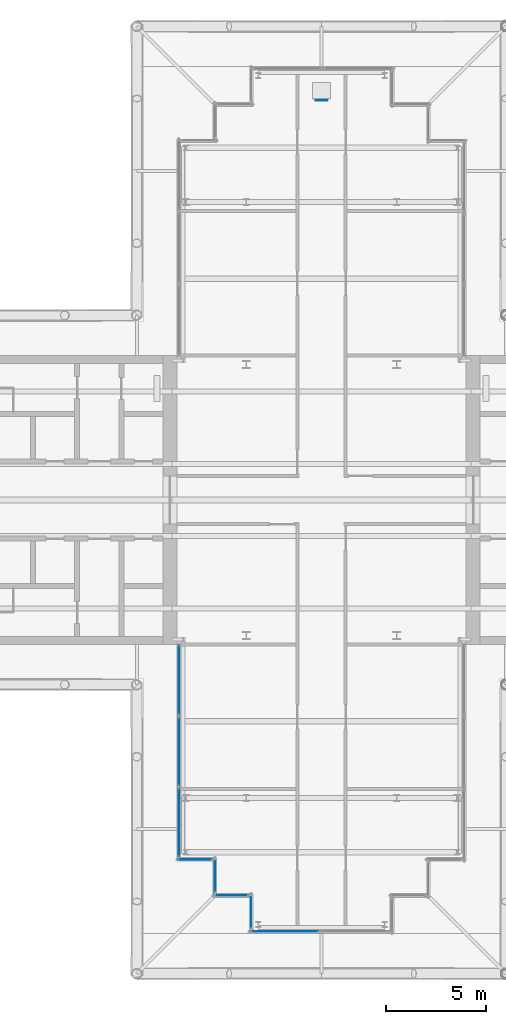
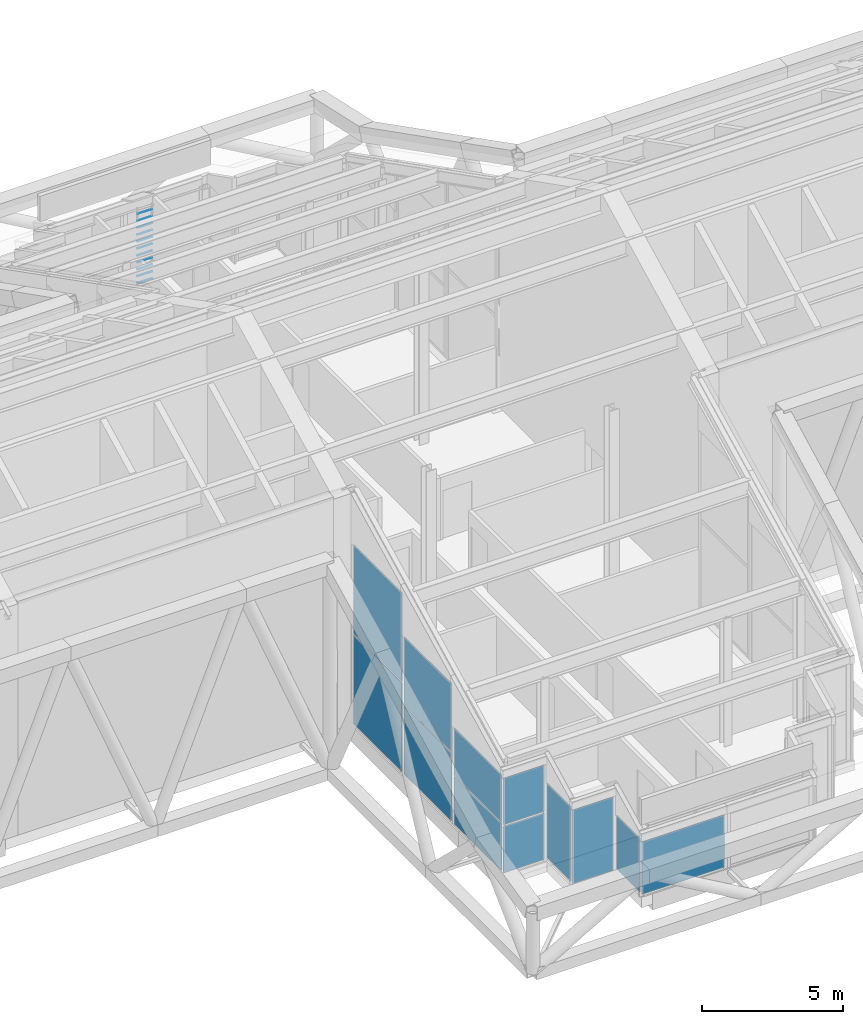
# One storey, part 17 of 25: 12 plates, 11 members, 8 elements without a shape of their own.
"""IFC4 building model written with IfcOpenShell, lengths in metres."""

from ifc_helpers import new_model, si_unit, direction, frame, origin, origin_2d, place, context, subcontext, project, spatial, rectangle, circle, extrude, material, layer, layer_set, material_profile, profile_set, type_object, element, aggregate, save


model = new_model("IFC4")

# Units and contexts
model_context = context("Model", 3, precision=1e-05, world=origin(), true_north=direction((0.0, 1.0)))
body_context = subcontext(model_context, "Body", "Model", "MODEL_VIEW")
ifc_project = project(units=[si_unit("LENGTHUNIT", "METRE"), si_unit("AREAUNIT", "SQUARE_METRE"), si_unit("VOLUMEUNIT", "CUBIC_METRE"), si_unit("PLANEANGLEUNIT", "RADIAN"), si_unit("MASSUNIT", "GRAM", prefix="KILO")], contexts=[model_context])

# Site, building, storey
site_placement = place(None, origin())
site = spatial("IfcSite", under=ifc_project, at=site_placement, CompositionType="ELEMENT")
building_placement = place(site_placement, origin())
building = spatial("IfcBuilding", under=site, at=building_placement, Name="Fustian Cross Tower", CompositionType="ELEMENT")
storey_placement = place(building_placement, frame((0.0, 0.0, 247.5)))
storey = spatial("IfcBuildingStorey", under=building, at=storey_placement, Name="L77", CompositionType="ELEMENT", Elevation=247.5)

# Members
ifc_material_1 = material(Name="Steel S355", Category="steel")
ifc_material_profile = material_profile(ifc_material_1, circle(Radius=0.010009765625, at=origin_2d()), Name="ROOF ACCESS LADDER RUNG RD 20 S355")
ifc_profile_set = profile_set([ifc_material_profile], Name="Steel S355")
member_type = type_object("IfcMemberType", Name="ROOF ACCESS LADDER RUNG RD 20 S355", PredefinedType="MEMBER", material=ifc_profile_set)
for number, where, z_axis, x_axis, name in (
    (1, (-0.2939453125, 19.89892578125, 0.300048828125), (1.0, 0.0, 0.0), (0.0, 1.0, 0.0), "Roof access ladder rung 1"),
    (2, (-0.2939453125, 19.89892578125, 0.60009765625), (1.0, 0.0, 0.0), (0.0, 1.0, 0.0), "Roof access ladder rung 2"),
    (3, (-0.2939453125, 19.89892578125, 0.89990234375), (1.0, 0.0, 0.0), (0.0, 1.0, 0.0), "Roof access ladder rung 3"),
    (4, (-0.2939453125, 19.89892578125, 1.199951171875), (1.0, 0.0, 0.0), (0.0, 1.0, 0.0), "Roof access ladder rung 4"),
    (5, (-0.2939453125, 19.89892578125, 1.5), (1.0, 0.0, 0.0), (0.0, 1.0, 0.0), "Roof access ladder rung 5"),
    (6, (-0.2939453125, 19.89892578125, 1.800048828125), (1.0, 0.0, 0.0), (0.0, 1.0, 0.0), "Roof access ladder rung 6"),
    (7, (-0.2939453125, 19.89892578125, 2.10009765625), (1.0, 0.0, 0.0), (0.0, 1.0, 0.0), "Roof access ladder rung 7"),
    (8, (-0.2939453125, 19.89892578125, 2.39990234375), (1.0, 0.0, 0.0), (0.0, 1.0, 0.0), "Roof access ladder rung 8"),
    (9, (-0.2939453125, 19.89892578125, 2.699951171875), (1.0, 0.0, 0.0), (0.0, 1.0, 0.0), "Roof access ladder rung 9"),
    (10, (-0.2939453125, 19.89892578125, 3.0), (1.0, 0.0, 0.0), (0.0, 1.0, 0.0), "Roof access ladder rung 10"),
    (11, (-0.2939453125, 19.89892578125, 3.300048828125), (1.0, 0.0, 0.0), (0.0, 1.0, 0.0), "Roof access ladder rung 11"),
):
    element("IfcMember", number, at=place(storey_placement, frame(where, z_axis=z_axis, x_axis=x_axis)), inside=storey, type_object=member_type, Name=name, PredefinedType="MEMBER", context=body_context, shape_type="SweptSolid", body=[
        extrude(circle(Radius=0.010009765625, at=origin_2d()), origin(), (0.0, 0.0, 1.0), 0.587890625),
    ])

# Curtain wall, plates
ifc_material_2 = material(Name="Glass", Category="glass")
curtain_wall_type = type_object("IfcCurtainWallType", Name="CW6 CURTAIN WALL", PredefinedType="NOTDEFINED", material=ifc_material_2)
curtain_wall_1_placement = place(storey_placement, origin())
curtain_wall_1 = element("IfcCurtainWall", 12, at=curtain_wall_1_placement, inside=storey, type_object=curtain_wall_type, Name="Curtain wall CW6", PredefinedType="NOTDEFINED")
ifc_material_3 = material(Name="Glass", Category="glass")
ifc_layer = layer(ifc_material_3, 0.028076171875)
ifc_layer_set = layer_set([ifc_layer], Name="Glass")
plate_type = type_object("IfcPlateType", Name="CW6 PANEL IGU28", PredefinedType="CURTAIN_PANEL", material=ifc_layer_set)
plate_1_placement = place(storey_placement, frame((-7.110107421875, -8.969970703125, 0.06005859375), z_axis=(0.0, 0.0, 1.0), x_axis=(0.0, -1.0, 0.0)))
plate_1 = element("IfcPlate", 13, at=plate_1_placement, type_object=plate_type, Name="CW6 panel 1.1", PredefinedType="CURTAIN_PANEL", context=body_context, shape_type="SweptSolid", body=[
    extrude(rectangle(XDim=3.419921875, YDim=0.028076171875, at=origin_2d()), origin(), (0.0, 0.0, 1.0), 3.850341796875),
])
plate_2_placement = place(storey_placement, frame((-7.110107421875, -8.969970703125, 3.97021484375), z_axis=(0.0, 0.0, 1.0), x_axis=(0.0, -1.0, 0.0)))
plate_2 = element("IfcPlate", 14, at=plate_2_placement, type_object=plate_type, Name="CW6 panel 1.2", PredefinedType="CURTAIN_PANEL", context=body_context, shape_type="SweptSolid", body=[
    extrude(rectangle(XDim=3.419921875, YDim=0.028076171875, at=origin_2d()), origin(), (0.0, 0.0, 1.0), 3.850341796875),
])
aggregate(curtain_wall_1, [plate_1, plate_2])

curtain_wall_2_placement = place(storey_placement, origin())
curtain_wall_2 = element("IfcCurtainWall", 15, at=curtain_wall_2_placement, inside=storey, type_object=curtain_wall_type, Name="Curtain wall CW6", PredefinedType="NOTDEFINED")
plate_3_placement = place(storey_placement, frame((-7.110107421875, -12.5400390625, 0.06005859375), z_axis=(0.0, 0.0, 1.0), x_axis=(0.0, -1.0, 0.0)))
plate_3 = element("IfcPlate", 16, at=plate_3_placement, type_object=plate_type, Name="CW6 panel 1.1", PredefinedType="CURTAIN_PANEL", context=body_context, shape_type="SweptSolid", body=[
    extrude(rectangle(XDim=3.360107421875, YDim=0.028076171875, at=origin_2d()), origin(), (0.0, 0.0, 1.0), 2.948974609375),
])
plate_4_placement = place(storey_placement, frame((-7.110107421875, -12.5400390625, 3.06884765625), z_axis=(0.0, 0.0, 1.0), x_axis=(0.0, -1.0, 0.0)))
plate_4 = element("IfcPlate", 17, at=plate_4_placement, type_object=plate_type, Name="CW6 panel 1.2", PredefinedType="CURTAIN_PANEL", context=body_context, shape_type="SweptSolid", body=[
    extrude(rectangle(XDim=3.360107421875, YDim=0.028076171875, at=origin_2d()), origin(), (0.0, 0.0, 1.0), 2.948974609375),
])
aggregate(curtain_wall_2, [plate_3, plate_4])

curtain_wall_3_placement = place(storey_placement, origin())
curtain_wall_3 = element("IfcCurtainWall", 18, at=curtain_wall_3_placement, inside=storey, type_object=curtain_wall_type, Name="Curtain wall CW6", PredefinedType="NOTDEFINED")
plate_5_placement = place(storey_placement, frame((-7.110107421875, -16.080078125, 0.06005859375), z_axis=(0.0, 0.0, 1.0), x_axis=(0.0, -1.0, 0.0)))
plate_5 = element("IfcPlate", 19, at=plate_5_placement, type_object=plate_type, Name="CW6 panel 1.1", PredefinedType="CURTAIN_PANEL", context=body_context, shape_type="SweptSolid", body=[
    extrude(rectangle(XDim=3.360107421875, YDim=0.028076171875, at=origin_2d()), origin(), (0.0, 0.0, 1.0), 2.047607421875),
])
plate_6_placement = place(storey_placement, frame((-7.110107421875, -16.080078125, 2.16748046875), z_axis=(0.0, 0.0, 1.0), x_axis=(0.0, -1.0, 0.0)))
plate_6 = element("IfcPlate", 20, at=plate_6_placement, type_object=plate_type, Name="CW6 panel 1.2", PredefinedType="CURTAIN_PANEL", context=body_context, shape_type="SweptSolid", body=[
    extrude(rectangle(XDim=3.360107421875, YDim=0.028076171875, at=origin_2d()), origin(), (0.0, 0.0, 1.0), 2.047607421875),
])
aggregate(curtain_wall_3, [plate_5, plate_6])

curtain_wall_4_placement = place(storey_placement, origin())
curtain_wall_4 = element("IfcCurtainWall", 21, at=curtain_wall_4_placement, inside=storey, type_object=curtain_wall_type, Name="Curtain wall CW6", PredefinedType="NOTDEFINED")
plate_7_placement = place(storey_placement, frame((-6.300048828125, -17.909912109375, 0.06005859375), z_axis=(0.0, 0.0, 1.0), x_axis=(1.0, 0.0, 0.0)))
plate_7 = element("IfcPlate", 22, at=plate_7_placement, type_object=plate_type, Name="CW6 panel 1.1", PredefinedType="CURTAIN_PANEL", context=body_context, shape_type="SweptSolid", body=[
    extrude(rectangle(XDim=1.679931640625, YDim=0.028076171875, at=origin_2d()), origin(), (0.0, 0.0, 1.0), 2.024658203125),
])
plate_8_placement = place(storey_placement, frame((-6.300048828125, -17.909912109375, 2.14453125), z_axis=(0.0, 0.0, 1.0), x_axis=(1.0, 0.0, 0.0)))
plate_8 = element("IfcPlate", 23, at=plate_8_placement, type_object=plate_type, Name="CW6 panel 1.2", PredefinedType="CURTAIN_PANEL", context=body_context, shape_type="SweptSolid", body=[
    extrude(rectangle(XDim=1.679931640625, YDim=0.028076171875, at=origin_2d()), origin(), (0.0, 0.0, 1.0), 2.024658203125),
])
aggregate(curtain_wall_4, [plate_7, plate_8])

# Curtain wall, plate
curtain_wall_5_placement = place(storey_placement, origin())
curtain_wall_5 = element("IfcCurtainWall", 24, at=curtain_wall_5_placement, inside=storey, type_object=curtain_wall_type, Name="Curtain wall CW6", PredefinedType="NOTDEFINED")
plate_9_placement = place(storey_placement, frame((-5.31005859375, -18.719970703125, 0.06005859375), z_axis=(0.0, 0.0, 1.0), x_axis=(0.0, -1.0, 0.0)))
plate_9 = element("IfcPlate", 25, at=plate_9_placement, type_object=plate_type, Name="CW6 panel 1.1", PredefinedType="CURTAIN_PANEL", context=body_context, shape_type="SweptSolid", body=[
    extrude(rectangle(XDim=1.679931640625, YDim=0.028076171875, at=origin_2d()), origin(), (0.0, 0.0, 1.0), 3.23828125),
])
aggregate(curtain_wall_5, [plate_9])

curtain_wall_6_placement = place(storey_placement, origin())
curtain_wall_6 = element("IfcCurtainWall", 26, at=curtain_wall_6_placement, inside=storey, type_object=curtain_wall_type, Name="Curtain wall CW6", PredefinedType="NOTDEFINED")
plate_10_placement = place(storey_placement, frame((-4.5, -19.7099609375, 0.06005859375), z_axis=(0.0, 0.0, 1.0), x_axis=(1.0, 0.0, 0.0)))
plate_10 = element("IfcPlate", 27, at=plate_10_placement, type_object=plate_type, Name="CW6 panel 1.1", PredefinedType="CURTAIN_PANEL", context=body_context, shape_type="SweptSolid", body=[
    extrude(rectangle(XDim=1.679931640625, YDim=0.028076171875, at=origin_2d()), origin(), (0.0, 0.0, 1.0), 3.1923828125),
])
aggregate(curtain_wall_6, [plate_10])

curtain_wall_7_placement = place(storey_placement, origin())
curtain_wall_7 = element("IfcCurtainWall", 28, at=curtain_wall_7_placement, inside=storey, type_object=curtain_wall_type, Name="Curtain wall CW6", PredefinedType="NOTDEFINED")
plate_11_placement = place(storey_placement, frame((-3.510009765625, -20.52001953125, 0.06005859375), z_axis=(0.0, 0.0, 1.0), x_axis=(0.0, -1.0, 0.0)))
plate_11 = element("IfcPlate", 29, at=plate_11_placement, type_object=plate_type, Name="CW6 panel 1.1", PredefinedType="CURTAIN_PANEL", context=body_context, shape_type="SweptSolid", body=[
    extrude(rectangle(XDim=1.679931640625, YDim=0.028076171875, at=origin_2d()), origin(), (0.0, 0.0, 1.0), 2.32177734375),
])
aggregate(curtain_wall_7, [plate_11])

curtain_wall_8_placement = place(storey_placement, origin())
curtain_wall_8 = element("IfcCurtainWall", 30, at=curtain_wall_8_placement, inside=storey, type_object=curtain_wall_type, Name="Curtain wall CW6", PredefinedType="NOTDEFINED")
plate_12_placement = place(storey_placement, frame((-1.844970703125, -21.510009765625, 0.06005859375), z_axis=(0.0, 0.0, 1.0), x_axis=(1.0, 0.0, 0.0)))
plate_12 = element("IfcPlate", 31, at=plate_12_placement, type_object=plate_type, Name="CW6 panel 1.1", PredefinedType="CURTAIN_PANEL", context=body_context, shape_type="SweptSolid", body=[
    extrude(rectangle(XDim=3.389892578125, YDim=0.028076171875, at=origin_2d()), origin(), (0.0, 0.0, 1.0), 2.27587890625),
])
aggregate(curtain_wall_8, [plate_12])

save(model, "model.ifc")
